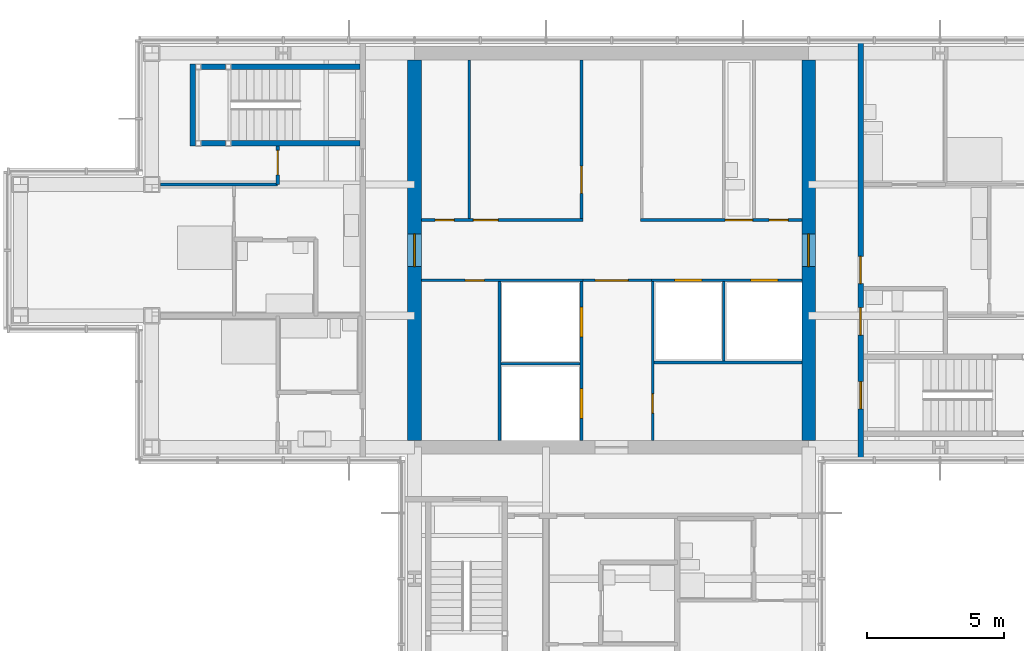
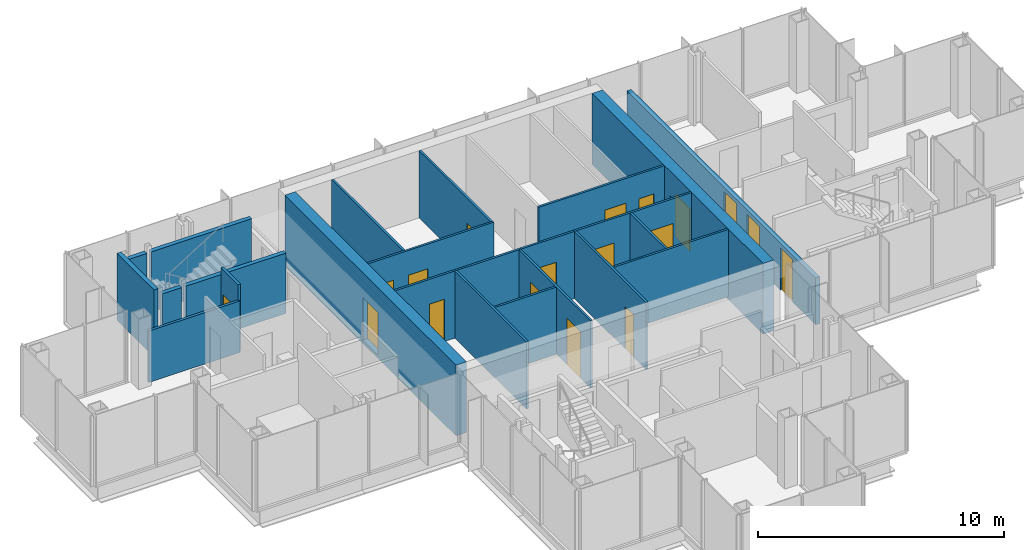
# One storey, part 11 of 15: 23 walls, 18 doors, 18 openings.
"""IFC4 building model written with IfcOpenShell, lengths in metres."""

from ifc_helpers import new_model, si_unit, direction, frame, frame_2d, origin, place, context, subcontext, project, spatial, rectangle, extrude, material, layer, layer_set, type_object, element, fill, save


model = new_model("IFC4")

# Units and contexts
model_context = context("Model", 3, precision=1e-05, world=origin(), true_north=direction((0.0, 1.0)))
body_context = subcontext(model_context, "Body", "Model", "MODEL_VIEW")
ifc_project = project(units=[si_unit("LENGTHUNIT", "METRE"), si_unit("AREAUNIT", "SQUARE_METRE"), si_unit("VOLUMEUNIT", "CUBIC_METRE"), si_unit("PLANEANGLEUNIT", "RADIAN"), si_unit("MASSUNIT", "GRAM", prefix="KILO")], contexts=[model_context])

# Site, building, storey
site_placement = place(None, origin())
site = spatial("IfcSite", under=ifc_project, at=site_placement, CompositionType="ELEMENT")
building_placement = place(site_placement, origin())
building = spatial("IfcBuilding", under=site, at=building_placement, Name="Kvirike Care Tower", CompositionType="ELEMENT")
storey_placement = place(building_placement, frame((0.0, 0.0, 212.0)))
storey = spatial("IfcBuildingStorey", under=building, at=storey_placement, Name="L58", CompositionType="ELEMENT", Elevation=212.0)

# Wall, opening, door
ifc_material_1 = material(Name="Concrete C40/50", Category="concrete")
ifc_layer_1 = layer(ifc_material_1, 0.5)
ifc_layer_set_1 = layer_set([ifc_layer_1], Name="CORE WALL 500 C40-50")
wall_type_1 = type_object("IfcWallType", Name="CORE WALL 500 C40-50", PredefinedType="SHEAR", material=ifc_layer_set_1)
wall_1_placement = place(storey_placement, frame((14.39990234375, 42.949951171875, -0.169921875), z_axis=(0.0, 0.0, 1.0), x_axis=(0.0, -1.0, 0.0)))
wall_1 = element("IfcWall", 1, at=wall_1_placement, inside=storey, type_object=wall_type_1, Name="Core wall W L58", PredefinedType="SHEAR", context=body_context, shape_type="SweptSolid", body=[
    extrude(rectangle(XDim=13.89990234375, YDim=0.5, at=frame_2d((6.949951171875, 0.0))), origin(), (0.0, 0.0, 1.0), 3.5),
])
opening_1_placement = place(wall_1_placement, frame((6.35009765625, 0.0, 0.169921875)))
opening_1 = element("IfcOpeningElement", 2, at=opening_1_placement, cuts=wall_1, Name="Opening 58-038", PredefinedType="OPENING", context=body_context, shape_type="SweptSolid", body=[
    extrude(rectangle(XDim=1.199951171875, YDim=2.10009765625, at=frame_2d((0.60009765625, 1.050048828125))), frame((0.0, 0.260498046875, 0.0), z_axis=(0.0, -1.0, 0.0), x_axis=(1.0, 0.0, 0.0)), (0.0, 0.0, 1.0), 0.52099609375),
])
ifc_material_2 = material(Name="Timber door set", Category="wood")
door_type_1 = type_object("IfcDoorType", Name="CORE DOOR 1200", OperationType="SINGLE_SWING_LEFT", PredefinedType="DOOR", material=ifc_material_2)
door_1_placement = place(opening_1_placement, origin())
door_1 = element("IfcDoor", 3, at=door_1_placement, inside=storey, type_object=door_type_1, Name="Core door W L58", OperationType="SINGLE_SWING_LEFT", OverallHeight=2.10009765625, OverallWidth=1.199951171875, PredefinedType="DOOR", context=body_context, shape_type="SweptSolid", body=[
    extrude(rectangle(XDim=1.199951171875, YDim=2.10009765625, at=frame_2d((0.60009765625, 1.050048828125))), frame((0.0, 0.02685546875, 0.0), z_axis=(0.0, -1.0, 0.0), x_axis=(1.0, 0.0, 0.0)), (0.0, 0.0, 1.0), 0.053955078125),
])
fill(opening_1, door_1)

wall_2_placement = place(storey_placement, frame((28.800048828125, 29.050048828125, -0.169921875), z_axis=(0.0, 0.0, 1.0), x_axis=(0.0, 1.0, 0.0)))
wall_2 = element("IfcWall", 4, at=wall_2_placement, inside=storey, type_object=wall_type_1, Name="Core wall E L58", PredefinedType="SHEAR", context=body_context, shape_type="SweptSolid", body=[
    extrude(rectangle(XDim=13.89990234375, YDim=0.5, at=frame_2d((6.949951171875, 0.0))), origin(), (0.0, 0.0, 1.0), 3.5),
])
opening_2_placement = place(wall_2_placement, frame((6.35009765625, 0.0, 0.169921875)))
opening_2 = element("IfcOpeningElement", 5, at=opening_2_placement, cuts=wall_2, Name="Opening 58-039", PredefinedType="OPENING", context=body_context, shape_type="SweptSolid", body=[
    extrude(rectangle(XDim=1.199951171875, YDim=2.10009765625, at=frame_2d((0.60009765625, 1.050048828125))), frame((0.0, 0.260498046875, 0.0), z_axis=(0.0, -1.0, 0.0), x_axis=(1.0, 0.0, 0.0)), (0.0, 0.0, 1.0), 0.52099609375),
])
door_2_placement = place(opening_2_placement, origin())
door_2 = element("IfcDoor", 6, at=door_2_placement, inside=storey, type_object=door_type_1, Name="Core door E L58", OperationType="SINGLE_SWING_LEFT", OverallHeight=2.10009765625, OverallWidth=1.199951171875, PredefinedType="DOOR", context=body_context, shape_type="SweptSolid", body=[
    extrude(rectangle(XDim=1.199951171875, YDim=2.10009765625, at=frame_2d((0.60009765625, 1.050048828125))), frame((0.0, 0.02685546875, 0.0), z_axis=(0.0, -1.0, 0.0), x_axis=(1.0, 0.0, 0.0)), (0.0, 0.0, 1.0), 0.053955078125),
])
fill(opening_2, door_2)

# Wall, openings, doors
ifc_material_3 = material(Name="Plasterboard corridor wall", Category="gypsum")
ifc_layer_2 = layer(ifc_material_3, 0.199951171875)
ifc_layer_set_2 = layer_set([ifc_layer_2], Name="CORRIDOR WALL 200")
wall_type_2 = type_object("IfcWallType", Name="CORRIDOR WALL 200", PredefinedType="PARTITIONING", material=ifc_layer_set_2)
wall_3_placement = place(storey_placement, frame((30.699951171875, 28.344970703125, 0.0), z_axis=(0.0, 0.0, 1.0), x_axis=(0.0, 1.0, 0.0)))
wall_3 = element("IfcWall", 7, at=wall_3_placement, inside=storey, type_object=wall_type_2, Name="Corridor Wall 200 L58", PredefinedType="PARTITIONING", context=body_context, shape_type="SweptSolid", body=[
    extrude(rectangle(XDim=15.31005859375, YDim=0.199951171875, at=frame_2d((7.655029296875, 0.0))), origin(), (0.0, 0.0, 1.0), 2.320068359375),
])
opening_3_placement = place(wall_3_placement, frame((1.85498046875, 0.0, 0.0)))
opening_3 = element("IfcOpeningElement", 8, at=opening_3_placement, cuts=wall_3, Name="Opening 58-021", PredefinedType="OPENING", context=body_context, shape_type="SweptSolid", body=[
    extrude(rectangle(XDim=1.0, YDim=2.10009765625, at=frame_2d((0.5, 1.050048828125))), frame((0.0, 0.110595703125, 0.0), z_axis=(0.0, -1.0, 0.0), x_axis=(1.0, 0.0, 0.0)), (0.0, 0.0, 1.0), 0.220947265625),
])
opening_4_placement = place(wall_3_placement, frame((4.554931640625, 0.0, 0.0)))
opening_4 = element("IfcOpeningElement", 9, at=opening_4_placement, cuts=wall_3, Name="Opening 58-022", PredefinedType="OPENING", context=body_context, shape_type="SweptSolid", body=[
    extrude(rectangle(XDim=1.0, YDim=2.10009765625, at=frame_2d((0.5, 1.050048828125))), frame((0.0, 0.110595703125, 0.0), z_axis=(0.0, -1.0, 0.0), x_axis=(1.0, 0.0, 0.0)), (0.0, 0.0, 1.0), 0.220947265625),
])
opening_5_placement = place(wall_3_placement, frame((6.429931640625, 0.0, 0.0)))
opening_5 = element("IfcOpeningElement", 10, at=opening_5_placement, cuts=wall_3, Name="Opening 58-023", PredefinedType="OPENING", context=body_context, shape_type="SweptSolid", body=[
    extrude(rectangle(XDim=1.0, YDim=2.10009765625, at=frame_2d((0.5, 1.050048828125))), frame((0.0, 0.110595703125, 0.0), z_axis=(0.0, -1.0, 0.0), x_axis=(1.0, 0.0, 0.0)), (0.0, 0.0, 1.0), 0.220947265625),
])
ifc_material_4 = material(Name="Timber door set", Category="wood")
door_type_2 = type_object("IfcDoorType", Name="FLAT ENTRANCE DOOR 1000", OperationType="SINGLE_SWING_LEFT", PredefinedType="DOOR", material=ifc_material_4)
door_3_placement = place(opening_5_placement, frame((1.0, 0.0, 0.0), z_axis=(0.0, 0.0, 1.0), x_axis=(-1.0, 0.0, 0.0)))
door_3 = element("IfcDoor", 11, at=door_3_placement, inside=storey, type_object=door_type_2, Name="Two-bedroom apartment entrance", OperationType="SINGLE_SWING_LEFT", OverallHeight=2.10009765625, OverallWidth=1.0, PredefinedType="DOOR", context=body_context, shape_type="SweptSolid", body=[
    extrude(rectangle(XDim=1.0, YDim=2.10009765625, at=frame_2d((0.5, 1.050048828125))), frame((0.0, 0.02685546875, 0.0), z_axis=(0.0, -1.0, 0.0), x_axis=(1.0, 0.0, 0.0)), (0.0, 0.0, 1.0), 0.053955078125),
])
fill(opening_5, door_3)
ifc_material_5 = material(Name="Timber door set", Category="wood")
door_type_3 = type_object("IfcDoorType", Name="STAIR DOOR 1000", OperationType="SINGLE_SWING_LEFT", PredefinedType="DOOR", material=ifc_material_5)
door_4_placement = place(opening_3_placement, frame((1.0, 0.0, 0.0), z_axis=(0.0, 0.0, 1.0), x_axis=(-1.0, 0.0, 0.0)))
door_4 = element("IfcDoor", 12, at=door_4_placement, inside=storey, type_object=door_type_3, Name="Stair 2 door", OperationType="SINGLE_SWING_RIGHT", OverallHeight=2.10009765625, OverallWidth=1.0, PredefinedType="DOOR", context=body_context, shape_type="SweptSolid", body=[
    extrude(rectangle(XDim=1.0, YDim=2.10009765625, at=frame_2d((0.5, 1.050048828125))), frame((0.0, 0.031982421875, 0.0), z_axis=(0.0, -1.0, 0.0), x_axis=(1.0, 0.0, 0.0)), (0.0, 0.0, 1.0), 0.06396484375),
])
fill(opening_3, door_4)
ifc_material_6 = material(Name="Timber door set", Category="wood")
door_type_4 = type_object("IfcDoorType", Name="WC DOOR 1000", OperationType="SINGLE_SWING_LEFT", PredefinedType="DOOR", material=ifc_material_6)
door_5_placement = place(opening_4_placement, frame((1.0, 0.0, 0.0), z_axis=(0.0, 0.0, 1.0), x_axis=(-1.0, 0.0, 0.0)))
door_5 = element("IfcDoor", 13, at=door_5_placement, inside=storey, type_object=door_type_4, Name="Accessible WC door", OperationType="SINGLE_SWING_LEFT", OverallHeight=2.10009765625, OverallWidth=1.0, PredefinedType="DOOR", context=body_context, shape_type="SweptSolid", body=[
    extrude(rectangle(XDim=1.0, YDim=2.10009765625, at=frame_2d((0.5, 1.050048828125))), frame((0.0, 0.02685546875, 0.0), z_axis=(0.0, -1.0, 0.0), x_axis=(1.0, 0.0, 0.0)), (0.0, 0.0, 1.0), 0.053955078125),
])
fill(opening_4, door_5)

# Wall, opening, door
ifc_material_7 = material(Name="Plasterboard partition", Category="gypsum")
ifc_layer_3 = layer(ifc_material_7, 0.1201171875)
ifc_layer_set_3 = layer_set([ifc_layer_3], Name="PARTITION 120")
wall_type_3 = type_object("IfcWallType", Name="PARTITION 120", PredefinedType="PARTITIONING", material=ifc_layer_set_3)
wall_4_placement = place(storey_placement, frame((9.39990234375, 39.800048828125, 0.0), z_axis=(0.0, 0.0, 1.0), x_axis=(0.0, -1.0, 0.0)))
wall_4 = element("IfcWall", 14, at=wall_4_placement, inside=storey, type_object=wall_type_3, Name="Partition 120 L58", PredefinedType="PARTITIONING", context=body_context, shape_type="SweptSolid", body=[
    extrude(rectangle(XDim=1.400146484375, YDim=0.1201171875, at=frame_2d((0.7001953125, 0.0))), origin(), (0.0, 0.0, 1.0), 3.330078125),
])
opening_6_placement = place(wall_4_placement, frame((0.14990234375, 0.0, 0.0)))
opening_6 = element("IfcOpeningElement", 15, at=opening_6_placement, cuts=wall_4, Name="Opening 58-002", PredefinedType="OPENING", context=body_context, shape_type="SweptSolid", body=[
    extrude(rectangle(XDim=0.89990234375, YDim=2.10009765625, at=frame_2d((0.449951171875, 1.050048828125))), frame((0.0, 0.070556640625, 0.0), z_axis=(0.0, -1.0, 0.0), x_axis=(1.0, 0.0, 0.0)), (0.0, 0.0, 1.0), 0.14111328125),
])
ifc_material_8 = material(Name="Timber door set", Category="wood")
door_type_5 = type_object("IfcDoorType", Name="INTERNAL DOOR 900", OperationType="SINGLE_SWING_LEFT", PredefinedType="DOOR", material=ifc_material_8)
door_6_placement = place(opening_6_placement, frame((0.89990234375, 0.0, 0.0), z_axis=(0.0, 0.0, 1.0), x_axis=(-1.0, 0.0, 0.0)))
door_6 = element("IfcDoor", 16, at=door_6_placement, inside=storey, type_object=door_type_5, Name="Apartment living room door", OperationType="SINGLE_SWING_LEFT", OverallHeight=2.10009765625, OverallWidth=0.89990234375, PredefinedType="DOOR", context=body_context, shape_type="SweptSolid", body=[
    extrude(rectangle(XDim=0.89990234375, YDim=2.10009765625, at=frame_2d((0.449951171875, 1.050048828125))), frame((0.0, 0.02197265625, 0.0), z_axis=(0.0, -1.0, 0.0), x_axis=(1.0, 0.0, 0.0)), (0.0, 0.0, 1.0), 0.0439453125),
])
fill(opening_6, door_6)

# Walls
wall_5_placement = place(storey_placement, frame((5.1201171875, 38.39990234375, 0.0), z_axis=(0.0, 0.0, 1.0), x_axis=(1.0, 0.0, 0.0)))
element("IfcWall", 17, at=wall_5_placement, inside=storey, type_object=wall_type_3, Name="Partition 120 L58", PredefinedType="PARTITIONING", context=body_context, shape_type="SweptSolid", body=[
    extrude(rectangle(XDim=4.27978515625, YDim=0.1201171875, at=frame_2d((2.139892578125, 0.0))), origin(), (0.0, 0.0, 1.0), 2.550048828125),
])
ifc_material_9 = material(Name="Gypsum shaft wall system", Category="gypsum")
ifc_layer_4 = layer(ifc_material_9, 0.10009765625)
ifc_layer_set_4 = layer_set([ifc_layer_4], Name="SHAFT WALL 100")
wall_type_4 = type_object("IfcWallType", Name="SHAFT WALL 100", PredefinedType="SOLIDWALL", material=ifc_layer_set_4)
wall_6_placement = place(storey_placement, frame((16.39990234375, 37.14990234375, 0.0), z_axis=(0.0, 0.0, 1.0), x_axis=(0.0, 1.0, 0.0)))
element("IfcWall", 18, at=wall_6_placement, inside=storey, type_object=wall_type_4, Name="Shaft Wall 100 L58", PredefinedType="SOLIDWALL", context=body_context, shape_type="SweptSolid", body=[
    extrude(rectangle(XDim=5.800048828125, YDim=0.10009765625, at=frame_2d((2.89990234375, 0.0))), origin(), (0.0, 0.0, 1.0), 3.330078125),
])

# Wall, openings, doors
wall_7_placement = place(storey_placement, frame((20.5, 29.050048828125, 0.0), z_axis=(0.0, 0.0, 1.0), x_axis=(0.0, 1.0, 0.0)))
wall_7 = element("IfcWall", 19, at=wall_7_placement, inside=storey, type_object=wall_type_4, Name="Shaft Wall 100 L58", PredefinedType="SOLIDWALL", context=body_context, shape_type="SweptSolid", body=[
    extrude(rectangle(XDim=5.800048828125, YDim=0.10009765625, at=frame_2d((2.89990234375, 0.0))), origin(), (0.0, 0.0, 1.0), 3.330078125),
])
opening_7_placement = place(wall_7_placement, frame((0.800048828125, 0.0, 0.0)))
opening_7 = element("IfcOpeningElement", 20, at=opening_7_placement, cuts=wall_7, Name="Opening 58-024", PredefinedType="OPENING", context=body_context, shape_type="SweptSolid", body=[
    extrude(rectangle(XDim=1.10009765625, YDim=2.300048828125, at=frame_2d((0.550048828125, 1.14990234375))), frame((0.0, 0.060546875, 0.0), z_axis=(0.0, -1.0, 0.0), x_axis=(1.0, 0.0, 0.0)), (0.0, 0.0, 1.0), 0.12109375),
])
opening_8_placement = place(wall_7_placement, frame((3.77490234375, 0.0, 0.0)))
opening_8 = element("IfcOpeningElement", 21, at=opening_8_placement, cuts=wall_7, Name="Opening 58-025", PredefinedType="OPENING", context=body_context, shape_type="SweptSolid", body=[
    extrude(rectangle(XDim=1.10009765625, YDim=2.300048828125, at=frame_2d((0.550048828125, 1.14990234375))), frame((0.0, 0.060546875, 0.0), z_axis=(0.0, -1.0, 0.0), x_axis=(1.0, 0.0, 0.0)), (0.0, 0.0, 1.0), 0.12109375),
])
ifc_material_10 = material(Name="Aluminium door frame", Category="aluminium")
door_type_6 = type_object("IfcDoorType", Name="FIRE-FIGHTING LIFT LANDING DOOR 1100", OperationType="SLIDING_TO_LEFT", PredefinedType="DOOR", material=ifc_material_10)
door_7_placement = place(opening_7_placement, origin())
door_7 = element("IfcDoor", 22, at=door_7_placement, inside=storey, type_object=door_type_6, Name="Lift FF1 landing door", OperationType="SLIDING_TO_LEFT", OverallHeight=2.300048828125, OverallWidth=1.10009765625, PredefinedType="DOOR", context=body_context, shape_type="SweptSolid", body=[
    extrude(rectangle(XDim=1.10009765625, YDim=2.300048828125, at=frame_2d((0.550048828125, 1.14990234375))), frame((0.0, 0.0498046875, 0.0), z_axis=(0.0, -1.0, 0.0), x_axis=(1.0, 0.0, 0.0)), (0.0, 0.0, 1.0), 0.099609375),
])
fill(opening_7, door_7)
door_8_placement = place(opening_8_placement, origin())
door_8 = element("IfcDoor", 23, at=door_8_placement, inside=storey, type_object=door_type_6, Name="Lift FF2 landing door", OperationType="SLIDING_TO_LEFT", OverallHeight=2.300048828125, OverallWidth=1.10009765625, PredefinedType="DOOR", context=body_context, shape_type="SweptSolid", body=[
    extrude(rectangle(XDim=1.10009765625, YDim=2.300048828125, at=frame_2d((0.550048828125, 1.14990234375))), frame((0.0, 0.0498046875, 0.0), z_axis=(0.0, -1.0, 0.0), x_axis=(1.0, 0.0, 0.0)), (0.0, 0.0, 1.0), 0.099609375),
])
fill(opening_8, door_8)

# Wall, opening, door
wall_8_placement = place(storey_placement, frame((20.5, 37.14990234375, 0.0), z_axis=(0.0, 0.0, 1.0), x_axis=(0.0, 1.0, 0.0)))
wall_8 = element("IfcWall", 24, at=wall_8_placement, inside=storey, type_object=wall_type_4, Name="Shaft Wall 100 L58", PredefinedType="SOLIDWALL", context=body_context, shape_type="SweptSolid", body=[
    extrude(rectangle(XDim=5.800048828125, YDim=0.10009765625, at=frame_2d((2.89990234375, 0.0))), origin(), (0.0, 0.0, 1.0), 3.330078125),
])
opening_9_placement = place(wall_8_placement, frame((0.925048828125, 0.0, 0.0)))
opening_9 = element("IfcOpeningElement", 25, at=opening_9_placement, cuts=wall_8, Name="Opening 58-026", PredefinedType="OPENING", context=body_context, shape_type="SweptSolid", body=[
    extrude(rectangle(XDim=1.0, YDim=2.10009765625, at=frame_2d((0.5, 1.050048828125))), frame((0.0, 0.060546875, 0.0), z_axis=(0.0, -1.0, 0.0), x_axis=(1.0, 0.0, 0.0)), (0.0, 0.0, 1.0), 0.12109375),
])
door_9_placement = place(opening_9_placement, origin())
door_9 = element("IfcDoor", 26, at=door_9_placement, inside=storey, type_object=door_type_4, Name="Staff WC door", OperationType="SINGLE_SWING_RIGHT", OverallHeight=2.10009765625, OverallWidth=1.0, PredefinedType="DOOR", context=body_context, shape_type="SweptSolid", body=[
    extrude(rectangle(XDim=1.0, YDim=2.10009765625, at=frame_2d((0.5, 1.050048828125))), frame((0.0, 0.02685546875, 0.0), z_axis=(0.0, -1.0, 0.0), x_axis=(1.0, 0.0, 0.0)), (0.0, 0.0, 1.0), 0.053955078125),
])
fill(opening_9, door_9)

wall_9_placement = place(storey_placement, frame((23.10009765625, 29.050048828125, 0.0), z_axis=(0.0, 0.0, 1.0), x_axis=(0.0, 1.0, 0.0)))
wall_9 = element("IfcWall", 27, at=wall_9_placement, inside=storey, type_object=wall_type_4, Name="Shaft Wall 100 L58", PredefinedType="SOLIDWALL", context=body_context, shape_type="SweptSolid", body=[
    extrude(rectangle(XDim=5.800048828125, YDim=0.10009765625, at=frame_2d((2.89990234375, 0.0))), origin(), (0.0, 0.0, 1.0), 3.330078125),
])
opening_10_placement = place(wall_9_placement, frame((1.0, 0.0, 0.0)))
opening_10 = element("IfcOpeningElement", 28, at=opening_10_placement, cuts=wall_9, Name="Opening 58-028", PredefinedType="OPENING", context=body_context, shape_type="SweptSolid", body=[
    extrude(rectangle(XDim=0.699951171875, YDim=2.10009765625, at=frame_2d((0.35009765625, 1.050048828125))), frame((0.0, 0.060546875, 0.0), z_axis=(0.0, -1.0, 0.0), x_axis=(1.0, 0.0, 0.0)), (0.0, 0.0, 1.0), 0.12109375),
])
ifc_material_11 = material(Name="Timber door set", Category="wood")
door_type_7 = type_object("IfcDoorType", Name="RISER DOOR 700", OperationType="SINGLE_SWING_LEFT", PredefinedType="DOOR", material=ifc_material_11)
door_10_placement = place(opening_10_placement, origin())
door_10 = element("IfcDoor", 29, at=door_10_placement, inside=storey, type_object=door_type_7, Name="Riser door", OperationType="SINGLE_SWING_RIGHT", OverallHeight=2.10009765625, OverallWidth=0.699951171875, PredefinedType="DOOR", context=body_context, shape_type="SweptSolid", body=[
    extrude(rectangle(XDim=0.699951171875, YDim=2.10009765625, at=frame_2d((0.35009765625, 1.050048828125))), frame((0.0, 0.02685546875, 0.0), z_axis=(0.0, -1.0, 0.0), x_axis=(1.0, 0.0, 0.0)), (0.0, 0.0, 1.0), 0.053955078125),
])
fill(opening_10, door_10)

wall_10_placement = place(storey_placement, frame((14.64990234375, 34.89990234375, 0.0), z_axis=(0.0, 0.0, 1.0), x_axis=(1.0, 0.0, 0.0)))
wall_10 = element("IfcWall", 30, at=wall_10_placement, inside=storey, type_object=wall_type_4, Name="Shaft Wall 100 L58", PredefinedType="SOLIDWALL", context=body_context, shape_type="SweptSolid", body=[
    extrude(rectangle(XDim=5.900146484375, YDim=0.10009765625, at=frame_2d((2.9501953125, 0.0))), origin(), (0.0, 0.0, 1.0), 3.330078125),
])
opening_11_placement = place(wall_10_placement, frame((1.60009765625, 0.0, 0.0)))
opening_11 = element("IfcOpeningElement", 31, at=opening_11_placement, cuts=wall_10, Name="Opening 58-029", PredefinedType="OPENING", context=body_context, shape_type="SweptSolid", body=[
    extrude(rectangle(XDim=0.699951171875, YDim=2.10009765625, at=frame_2d((0.35009765625, 1.050048828125))), frame((0.0, 0.060546875, 0.0), z_axis=(0.0, -1.0, 0.0), x_axis=(1.0, 0.0, 0.0)), (0.0, 0.0, 1.0), 0.12109375),
])
door_11_placement = place(opening_11_placement, frame((0.699951171875, 0.0, 0.0), z_axis=(0.0, 0.0, 1.0), x_axis=(-1.0, 0.0, 0.0)))
door_11 = element("IfcDoor", 32, at=door_11_placement, inside=storey, type_object=door_type_7, Name="Riser door", OperationType="SINGLE_SWING_RIGHT", OverallHeight=2.10009765625, OverallWidth=0.699951171875, PredefinedType="DOOR", context=body_context, shape_type="SweptSolid", body=[
    extrude(rectangle(XDim=0.699951171875, YDim=2.10009765625, at=frame_2d((0.35009765625, 1.050048828125))), frame((0.0, 0.02685546875, 0.0), z_axis=(0.0, -1.0, 0.0), x_axis=(1.0, 0.0, 0.0)), (0.0, 0.0, 1.0), 0.053955078125),
])
fill(opening_11, door_11)

# Wall, openings, doors
wall_11_placement = place(storey_placement, frame((23.050048828125, 34.89990234375, 0.0), z_axis=(0.0, 0.0, 1.0), x_axis=(1.0, 0.0, 0.0)))
wall_11 = element("IfcWall", 33, at=wall_11_placement, inside=storey, type_object=wall_type_4, Name="Shaft Wall 100 L58", PredefinedType="SOLIDWALL", context=body_context, shape_type="SweptSolid", body=[
    extrude(rectangle(XDim=5.5, YDim=0.10009765625, at=frame_2d((2.75, 0.0))), origin(), (0.0, 0.0, 1.0), 3.330078125),
])
opening_12_placement = place(wall_11_placement, frame((0.85009765625, 0.0, 0.0)))
opening_12 = element("IfcOpeningElement", 34, at=opening_12_placement, cuts=wall_11, Name="Opening 58-030", PredefinedType="OPENING", context=body_context, shape_type="SweptSolid", body=[
    extrude(rectangle(XDim=1.0, YDim=2.10009765625, at=frame_2d((0.5, 1.050048828125))), frame((0.0, 0.060546875, 0.0), z_axis=(0.0, -1.0, 0.0), x_axis=(1.0, 0.0, 0.0)), (0.0, 0.0, 1.0), 0.12109375),
])
opening_13_placement = place(wall_11_placement, frame((3.625, 0.0, 0.0)))
opening_13 = element("IfcOpeningElement", 35, at=opening_13_placement, cuts=wall_11, Name="Opening 58-031", PredefinedType="OPENING", context=body_context, shape_type="SweptSolid", body=[
    extrude(rectangle(XDim=1.0, YDim=2.10009765625, at=frame_2d((0.5, 1.050048828125))), frame((0.0, 0.060546875, 0.0), z_axis=(0.0, -1.0, 0.0), x_axis=(1.0, 0.0, 0.0)), (0.0, 0.0, 1.0), 0.12109375),
])
ifc_material_12 = material(Name="Aluminium door frame", Category="aluminium")
door_type_8 = type_object("IfcDoorType", Name="LIFT LANDING DOOR 1000", OperationType="SLIDING_TO_LEFT", PredefinedType="DOOR", material=ifc_material_12)
door_12_placement = place(opening_12_placement, origin())
door_12 = element("IfcDoor", 36, at=door_12_placement, inside=storey, type_object=door_type_8, Name="Lift P5 landing door", OperationType="SLIDING_TO_LEFT", OverallHeight=2.10009765625, OverallWidth=1.0, PredefinedType="DOOR", context=body_context, shape_type="SweptSolid", body=[
    extrude(rectangle(XDim=1.0, YDim=2.10009765625, at=frame_2d((0.5, 1.050048828125))), frame((0.0, 0.0498046875, 0.0), z_axis=(0.0, -1.0, 0.0), x_axis=(1.0, 0.0, 0.0)), (0.0, 0.0, 1.0), 0.099609375),
])
fill(opening_12, door_12)
door_13_placement = place(opening_13_placement, origin())
door_13 = element("IfcDoor", 37, at=door_13_placement, inside=storey, type_object=door_type_8, Name="Lift P6 landing door", OperationType="SLIDING_TO_LEFT", OverallHeight=2.10009765625, OverallWidth=1.0, PredefinedType="DOOR", context=body_context, shape_type="SweptSolid", body=[
    extrude(rectangle(XDim=1.0, YDim=2.10009765625, at=frame_2d((0.5, 1.050048828125))), frame((0.0, 0.0498046875, 0.0), z_axis=(0.0, -1.0, 0.0), x_axis=(1.0, 0.0, 0.0)), (0.0, 0.0, 1.0), 0.099609375),
])
fill(opening_13, door_13)

wall_12_placement = place(storey_placement, frame((14.64990234375, 37.10009765625, 0.0), z_axis=(0.0, 0.0, 1.0), x_axis=(1.0, 0.0, 0.0)))
wall_12 = element("IfcWall", 38, at=wall_12_placement, inside=storey, type_object=wall_type_4, Name="Shaft Wall 100 L58", PredefinedType="SOLIDWALL", context=body_context, shape_type="SweptSolid", body=[
    extrude(rectangle(XDim=5.900146484375, YDim=0.10009765625, at=frame_2d((2.9501953125, 0.0))), origin(), (0.0, 0.0, 1.0), 3.330078125),
])
opening_14_placement = place(wall_12_placement, frame((0.5, 0.0, 0.0)))
opening_14 = element("IfcOpeningElement", 39, at=opening_14_placement, cuts=wall_12, Name="Opening 58-032", PredefinedType="OPENING", context=body_context, shape_type="SweptSolid", body=[
    extrude(rectangle(XDim=0.699951171875, YDim=2.10009765625, at=frame_2d((0.35009765625, 1.050048828125))), frame((0.0, 0.060546875, 0.0), z_axis=(0.0, -1.0, 0.0), x_axis=(1.0, 0.0, 0.0)), (0.0, 0.0, 1.0), 0.12109375),
])
opening_15_placement = place(wall_12_placement, frame((1.89990234375, 0.0, 0.0)))
opening_15 = element("IfcOpeningElement", 40, at=opening_15_placement, cuts=wall_12, Name="Opening 58-033", PredefinedType="OPENING", context=body_context, shape_type="SweptSolid", body=[
    extrude(rectangle(XDim=0.89990234375, YDim=2.10009765625, at=frame_2d((0.449951171875, 1.050048828125))), frame((0.0, 0.060546875, 0.0), z_axis=(0.0, -1.0, 0.0), x_axis=(1.0, 0.0, 0.0)), (0.0, 0.0, 1.0), 0.12109375),
])
door_14_placement = place(opening_14_placement, origin())
door_14 = element("IfcDoor", 41, at=door_14_placement, inside=storey, type_object=door_type_7, Name="Riser door", OperationType="SINGLE_SWING_RIGHT", OverallHeight=2.10009765625, OverallWidth=0.699951171875, PredefinedType="DOOR", context=body_context, shape_type="SweptSolid", body=[
    extrude(rectangle(XDim=0.699951171875, YDim=2.10009765625, at=frame_2d((0.35009765625, 1.050048828125))), frame((0.0, 0.02685546875, 0.0), z_axis=(0.0, -1.0, 0.0), x_axis=(1.0, 0.0, 0.0)), (0.0, 0.0, 1.0), 0.053955078125),
])
fill(opening_14, door_14)
ifc_material_13 = material(Name="Timber door set", Category="wood")
door_type_9 = type_object("IfcDoorType", Name="STORE DOOR 900", OperationType="SINGLE_SWING_LEFT", PredefinedType="DOOR", material=ifc_material_13)
door_15_placement = place(opening_15_placement, origin())
door_15 = element("IfcDoor", 42, at=door_15_placement, inside=storey, type_object=door_type_9, Name="Staff changing room door", OperationType="SINGLE_SWING_RIGHT", OverallHeight=2.10009765625, OverallWidth=0.89990234375, PredefinedType="DOOR", context=body_context, shape_type="SweptSolid", body=[
    extrude(rectangle(XDim=0.89990234375, YDim=2.10009765625, at=frame_2d((0.449951171875, 1.050048828125))), frame((0.0, 0.02685546875, 0.0), z_axis=(0.0, -1.0, 0.0), x_axis=(1.0, 0.0, 0.0)), (0.0, 0.0, 1.0), 0.053955078125),
])
fill(opening_15, door_15)

wall_13_placement = place(storey_placement, frame((22.64990234375, 37.10009765625, 0.0), z_axis=(0.0, 0.0, 1.0), x_axis=(1.0, 0.0, 0.0)))
wall_13 = element("IfcWall", 43, at=wall_13_placement, inside=storey, type_object=wall_type_4, Name="Shaft Wall 100 L58", PredefinedType="SOLIDWALL", context=body_context, shape_type="SweptSolid", body=[
    extrude(rectangle(XDim=5.900146484375, YDim=0.10009765625, at=frame_2d((2.9501953125, 0.0))), origin(), (0.0, 0.0, 1.0), 3.330078125),
])
opening_16_placement = place(wall_13_placement, frame((3.10009765625, 0.0, 0.0)))
opening_16 = element("IfcOpeningElement", 44, at=opening_16_placement, cuts=wall_13, Name="Opening 58-034", PredefinedType="OPENING", context=body_context, shape_type="SweptSolid", body=[
    extrude(rectangle(XDim=1.0, YDim=2.10009765625, at=frame_2d((0.5, 1.050048828125))), frame((0.0, 0.060546875, 0.0), z_axis=(0.0, -1.0, 0.0), x_axis=(1.0, 0.0, 0.0)), (0.0, 0.0, 1.0), 0.12109375),
])
opening_17_placement = place(wall_13_placement, frame((4.699951171875, 0.0, 0.0)))
opening_17 = element("IfcOpeningElement", 45, at=opening_17_placement, cuts=wall_13, Name="Opening 58-035", PredefinedType="OPENING", context=body_context, shape_type="SweptSolid", body=[
    extrude(rectangle(XDim=0.699951171875, YDim=2.10009765625, at=frame_2d((0.35009765625, 1.050048828125))), frame((0.0, 0.060546875, 0.0), z_axis=(0.0, -1.0, 0.0), x_axis=(1.0, 0.0, 0.0)), (0.0, 0.0, 1.0), 0.12109375),
])
door_16_placement = place(opening_17_placement, origin())
door_16 = element("IfcDoor", 46, at=door_16_placement, inside=storey, type_object=door_type_7, Name="Riser door", OperationType="SINGLE_SWING_LEFT", OverallHeight=2.10009765625, OverallWidth=0.699951171875, PredefinedType="DOOR", context=body_context, shape_type="SweptSolid", body=[
    extrude(rectangle(XDim=0.699951171875, YDim=2.10009765625, at=frame_2d((0.35009765625, 1.050048828125))), frame((0.0, 0.02685546875, 0.0), z_axis=(0.0, -1.0, 0.0), x_axis=(1.0, 0.0, 0.0)), (0.0, 0.0, 1.0), 0.053955078125),
])
fill(opening_17, door_16)
door_17_placement = place(opening_16_placement, origin())
door_17 = element("IfcDoor", 47, at=door_17_placement, inside=storey, type_object=door_type_4, Name="Staff WC door", OperationType="SINGLE_SWING_RIGHT", OverallHeight=2.10009765625, OverallWidth=1.0, PredefinedType="DOOR", context=body_context, shape_type="SweptSolid", body=[
    extrude(rectangle(XDim=1.0, YDim=2.10009765625, at=frame_2d((0.5, 1.050048828125))), frame((0.0, 0.02685546875, 0.0), z_axis=(0.0, -1.0, 0.0), x_axis=(1.0, 0.0, 0.0)), (0.0, 0.0, 1.0), 0.053955078125),
])
fill(opening_16, door_17)

# Wall, opening, door
wall_14_placement = place(storey_placement, frame((20.550048828125, 34.89990234375, 0.0), z_axis=(0.0, 0.0, 1.0), x_axis=(1.0, 0.0, 0.0)))
wall_14 = element("IfcWall", 48, at=wall_14_placement, inside=storey, type_object=wall_type_4, Name="Shaft Wall 100 L58", PredefinedType="SOLIDWALL", context=body_context, shape_type="SweptSolid", body=[
    extrude(rectangle(XDim=2.5, YDim=0.10009765625, at=frame_2d((1.25, 0.0))), origin(), (0.0, 0.0, 1.0), 3.330078125),
])
opening_18_placement = place(wall_14_placement, frame((0.449951171875, 0.0, 0.0)))
opening_18 = element("IfcOpeningElement", 49, at=opening_18_placement, cuts=wall_14, Name="Opening 58-036", PredefinedType="OPENING", context=body_context, shape_type="SweptSolid", body=[
    extrude(rectangle(XDim=1.199951171875, YDim=2.10009765625, at=frame_2d((0.60009765625, 1.050048828125))), frame((0.0, 0.060546875, 0.0), z_axis=(0.0, -1.0, 0.0), x_axis=(1.0, 0.0, 0.0)), (0.0, 0.0, 1.0), 0.12109375),
])
door_18_placement = place(opening_18_placement, frame((1.199951171875, 0.0, 0.0), z_axis=(0.0, 0.0, 1.0), x_axis=(-1.0, 0.0, 0.0)))
door_18 = element("IfcDoor", 50, at=door_18_placement, inside=storey, type_object=door_type_1, Name="Fire-fighting lobby door", OperationType="SINGLE_SWING_LEFT", OverallHeight=2.10009765625, OverallWidth=1.199951171875, PredefinedType="DOOR", context=body_context, shape_type="SweptSolid", body=[
    extrude(rectangle(XDim=1.199951171875, YDim=2.10009765625, at=frame_2d((0.60009765625, 1.050048828125))), frame((0.0, 0.02685546875, 0.0), z_axis=(0.0, -1.0, 0.0), x_axis=(1.0, 0.0, 0.0)), (0.0, 0.0, 1.0), 0.053955078125),
])
fill(opening_18, door_18)

# Walls
wall_15_placement = place(storey_placement, frame((17.5, 29.050048828125, 0.0), z_axis=(0.0, 0.0, 1.0), x_axis=(0.0, 1.0, 0.0)))
element("IfcWall", 51, at=wall_15_placement, inside=storey, type_object=wall_type_4, Name="Shaft Wall 100 L58", PredefinedType="SOLIDWALL", context=body_context, shape_type="SweptSolid", body=[
    extrude(rectangle(XDim=5.800048828125, YDim=0.10009765625, at=frame_2d((2.89990234375, 0.0))), origin(), (0.0, 0.0, 1.0), 3.330078125),
])
wall_16_placement = place(storey_placement, frame((17.550048828125, 31.85009765625, 0.0), z_axis=(0.0, 0.0, 1.0), x_axis=(1.0, 0.0, 0.0)))
element("IfcWall", 52, at=wall_16_placement, inside=storey, type_object=wall_type_4, Name="Shaft Wall 100 L58", PredefinedType="SOLIDWALL", context=body_context, shape_type="SweptSolid", body=[
    extrude(rectangle(XDim=2.89990234375, YDim=0.10009765625, at=frame_2d((1.449951171875, 0.0))), origin(), (0.0, 0.0, 1.0), 3.330078125),
])
wall_17_placement = place(storey_placement, frame((25.699951171875, 31.949951171875, 0.0), z_axis=(0.0, 0.0, 1.0), x_axis=(0.0, 1.0, 0.0)))
element("IfcWall", 53, at=wall_17_placement, inside=storey, type_object=wall_type_4, Name="Shaft Wall 100 L58", PredefinedType="SOLIDWALL", context=body_context, shape_type="SweptSolid", body=[
    extrude(rectangle(XDim=2.900146484375, YDim=0.10009765625, at=frame_2d((1.4501953125, 0.0))), origin(), (0.0, 0.0, 1.0), 3.330078125),
])
wall_18_placement = place(storey_placement, frame((23.14990234375, 31.89990234375, 0.0), z_axis=(0.0, 0.0, 1.0), x_axis=(1.0, 0.0, 0.0)))
element("IfcWall", 54, at=wall_18_placement, inside=storey, type_object=wall_type_4, Name="Shaft Wall 100 L58", PredefinedType="SOLIDWALL", context=body_context, shape_type="SweptSolid", body=[
    extrude(rectangle(XDim=5.400146484375, YDim=0.10009765625, at=frame_2d((2.7001953125, 0.0))), origin(), (0.0, 0.0, 1.0), 3.330078125),
])
ifc_material_14 = material(Name="Concrete C40/50", Category="concrete")
ifc_layer_5 = layer(ifc_material_14, 0.199951171875)
ifc_layer_set_5 = layer_set([ifc_layer_5], Name="STAIR WALL 200")
wall_type_5 = type_object("IfcWallType", Name="STAIR WALL 200", PredefinedType="SOLIDWALL", material=ifc_layer_set_5)
wall_19_placement = place(storey_placement, frame((6.60009765625, 42.699951171875, 0.0), z_axis=(0.0, 0.0, 1.0), x_axis=(1.0, 0.0, 0.0)))
element("IfcWall", 55, at=wall_19_placement, inside=storey, type_object=wall_type_5, Name="Stair Wall 200 L58", PredefinedType="SOLIDWALL", context=body_context, shape_type="SweptSolid", body=[
    extrude(rectangle(XDim=0.89990234375, YDim=0.199951171875, at=frame_2d((0.449951171875, 0.0))), origin(), (0.0, 0.0, 1.0), 2.989990234375),
])
wall_20_placement = place(storey_placement, frame((7.699951171875, 42.699951171875, 0.0), z_axis=(0.0, 0.0, 1.0), x_axis=(1.0, 0.0, 0.0)))
element("IfcWall", 56, at=wall_20_placement, inside=storey, type_object=wall_type_5, Name="Stair Wall 200 L58", PredefinedType="SOLIDWALL", context=body_context, shape_type="SweptSolid", body=[
    extrude(rectangle(XDim=4.699951171875, YDim=0.199951171875, at=frame_2d((2.35009765625, 0.0))), origin(), (0.0, 0.0, 1.0), 2.989990234375),
])
wall_21_placement = place(storey_placement, frame((6.60009765625, 39.89990234375, 0.0), z_axis=(0.0, 0.0, 1.0), x_axis=(1.0, 0.0, 0.0)))
element("IfcWall", 57, at=wall_21_placement, inside=storey, type_object=wall_type_5, Name="Stair Wall 200 L58", PredefinedType="SOLIDWALL", context=body_context, shape_type="SweptSolid", body=[
    extrude(rectangle(XDim=0.89990234375, YDim=0.199951171875, at=frame_2d((0.449951171875, 0.0))), origin(), (0.0, 0.0, 1.0), 2.989990234375),
])
wall_22_placement = place(storey_placement, frame((7.699951171875, 39.89990234375, 0.0), z_axis=(0.0, 0.0, 1.0), x_axis=(1.0, 0.0, 0.0)))
element("IfcWall", 58, at=wall_22_placement, inside=storey, type_object=wall_type_5, Name="Stair Wall 200 L58", PredefinedType="SOLIDWALL", context=body_context, shape_type="SweptSolid", body=[
    extrude(rectangle(XDim=4.699951171875, YDim=0.199951171875, at=frame_2d((2.35009765625, 0.0))), origin(), (0.0, 0.0, 1.0), 2.989990234375),
])
wall_23_placement = place(storey_placement, frame((6.300048828125, 42.800048828125, 0.0), z_axis=(0.0, 0.0, 1.0), x_axis=(0.0, -1.0, 0.0)))
element("IfcWall", 59, at=wall_23_placement, inside=storey, type_object=wall_type_5, Name="Stair Wall 200 L58", PredefinedType="SOLIDWALL", context=body_context, shape_type="SweptSolid", body=[
    extrude(rectangle(XDim=3.0, YDim=0.199951171875, at=frame_2d((1.5, 0.0))), origin(), (0.0, 0.0, 1.0), 3.330078125),
])

save(model, "model.ifc")
